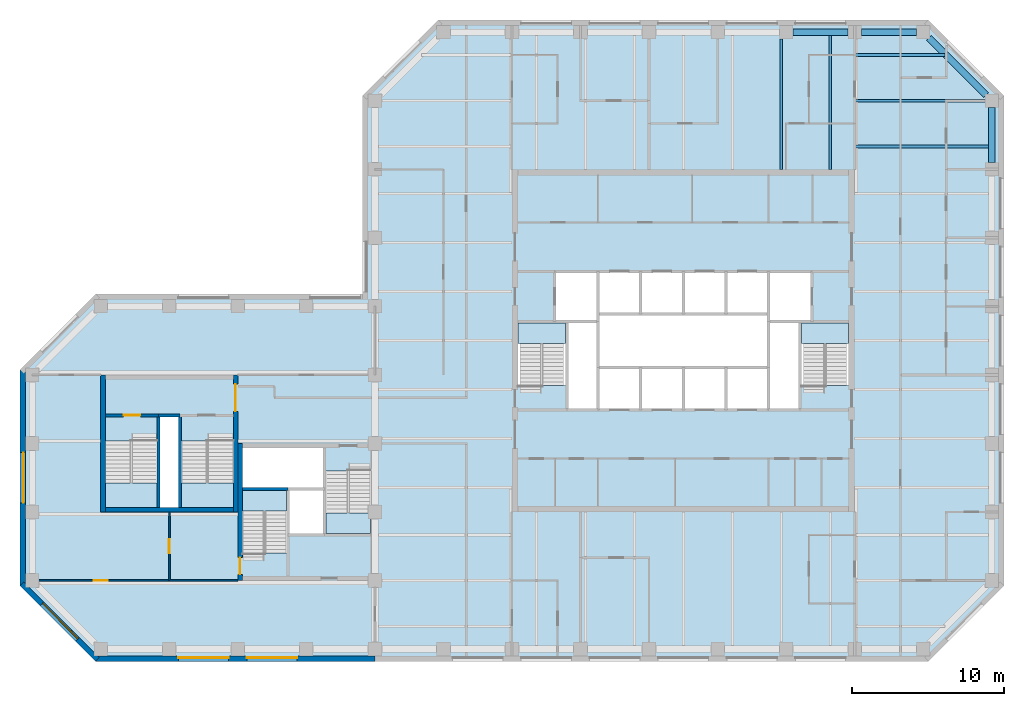
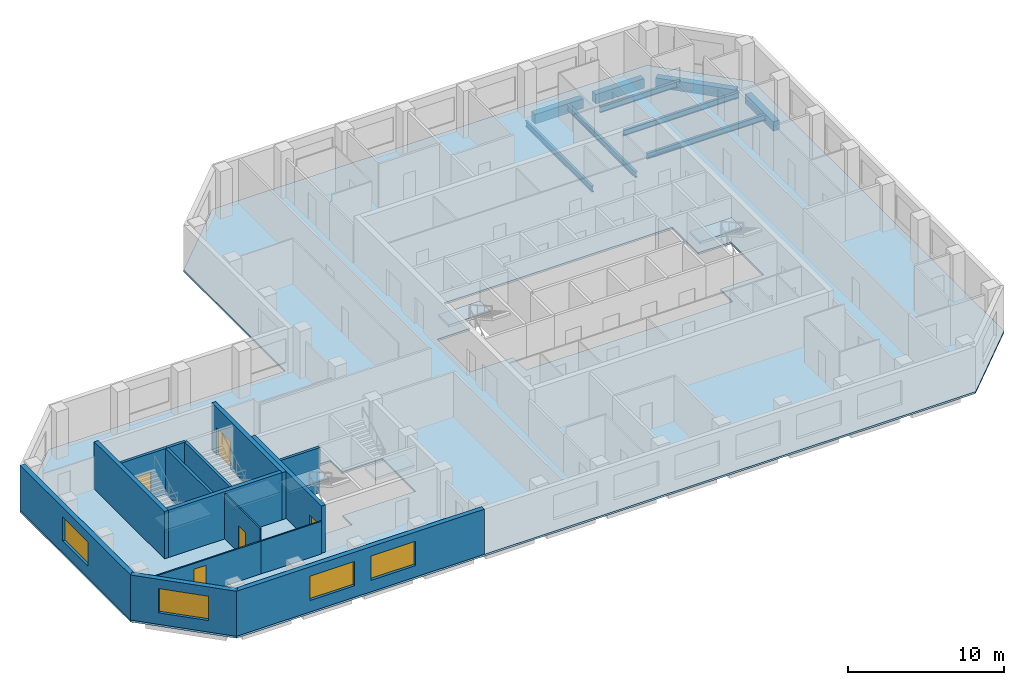
# One storey, part 2 of 9: 15 walls, 9 beams, 7 slabs, 5 doors, 4 windows, 9 openings, 6 elements without a shape of their own.
"""IFC4 building model written with IfcOpenShell, lengths in metres."""

from ifc_helpers import new_model, si_unit, direction, frame, frame_2d, origin, origin_2d, place, context, subcontext, project, spatial, polyline, rectangle, i_section, outline, extrude, material, layer, layer_set, constituent, constituent_set, material_profile, profile_set, type_object, element, fill, aggregate, save


model = new_model("IFC4")

# Units and contexts
model_context = context("Model", 3, precision=1e-05, world=origin(), true_north=direction((0.0, 1.0)))
body_context = subcontext(model_context, "Body", "Model", "MODEL_VIEW")
ifc_project = project(units=[si_unit("LENGTHUNIT", "METRE"), si_unit("AREAUNIT", "SQUARE_METRE"), si_unit("VOLUMEUNIT", "CUBIC_METRE"), si_unit("PLANEANGLEUNIT", "RADIAN"), si_unit("MASSUNIT", "GRAM", prefix="KILO")], contexts=[model_context])

# Site, building, storey
site_placement = place(None, origin())
site = spatial("IfcSite", under=ifc_project, at=site_placement, CompositionType="ELEMENT")
building_placement = place(site_placement, origin())
building = spatial("IfcBuilding", under=site, at=building_placement, Name="Quoin Convention Tower", CompositionType="ELEMENT")
storey_placement = place(building_placement, frame((0.0, 0.0, 223.0)))
storey = spatial("IfcBuildingStorey", under=building, at=storey_placement, Name="L58", CompositionType="ELEMENT", Elevation=223.0)

# Beams
ifc_material_1 = material(Name="Steel Grade 300", Category="steel")
ifc_material_profile_1 = material_profile(ifc_material_1, i_section(OverallWidth=0.18994140625, OverallDepth=0.4541015625, WebThickness=0.008544921875, FlangeThickness=0.0126953125, FilletRadius=0.011474609375, at=origin_2d()), Name="460UB67.1")
ifc_profile_set_1 = profile_set([ifc_material_profile_1], Name="Steel Grade 300")
beam_type_1 = type_object("IfcBeamType", Name="460UB67.1", PredefinedType="BEAM", material=ifc_profile_set_1)
beam_1_placement = place(storey_placement, frame((62.6787109375, 72.0, -0.376953125), z_axis=(0.0, 1.0, 0.0), x_axis=(-1.0, 0.0, 0.0)))
element("IfcBeam", 1, at=beam_1_placement, inside=storey, type_object=beam_type_1, Name="bm-L58-T1N5", PredefinedType="BEAM", context=body_context, shape_type="SweptSolid", body=[
    extrude(i_section(OverallWidth=0.18994140625, OverallDepth=0.4541015625, WebThickness=0.008544921875, FlangeThickness=0.0126953125, FilletRadius=0.011474609375, at=origin_2d()), origin(), (0.0, 0.0, 1.0), 8.550048828125),
])
beam_2_placement = place(storey_placement, frame((65.892822265625, 72.0, -0.376953125), z_axis=(0.0, 1.0, 0.0), x_axis=(-1.0, 0.0, 0.0)))
element("IfcBeam", 2, at=beam_2_placement, inside=storey, type_object=beam_type_1, Name="bm-L58-T1N6", PredefinedType="BEAM", context=body_context, shape_type="SweptSolid", body=[
    extrude(i_section(OverallWidth=0.18994140625, OverallDepth=0.4541015625, WebThickness=0.008544921875, FlangeThickness=0.0126953125, FilletRadius=0.011474609375, at=origin_2d()), origin(), (0.0, 0.0, 1.0), 8.77490234375),
])
beam_3_placement = place(storey_placement, frame((67.5, 79.5, -0.376953125), z_axis=(1.0, 0.0, 0.0), x_axis=(0.0, 1.0, 0.0)))
element("IfcBeam", 3, at=beam_3_placement, inside=storey, type_object=beam_type_1, Name="bm-L58-T1NE0", PredefinedType="BEAM", context=body_context, shape_type="SweptSolid", body=[
    extrude(i_section(OverallWidth=0.18994140625, OverallDepth=0.4541015625, WebThickness=0.008544921875, FlangeThickness=0.0126953125, FilletRadius=0.011474609375, at=origin_2d()), origin(), (0.0, 0.0, 1.0), 5.935791015625),
])
beam_4_placement = place(storey_placement, frame((67.5, 76.5, -0.376953125), z_axis=(1.0, 0.0, 0.0), x_axis=(0.0, 1.0, 0.0)))
element("IfcBeam", 4, at=beam_4_placement, inside=storey, type_object=beam_type_1, Name="bm-L58-T1NE1", PredefinedType="BEAM", context=body_context, shape_type="SweptSolid", body=[
    extrude(i_section(OverallWidth=0.18994140625, OverallDepth=0.4541015625, WebThickness=0.008544921875, FlangeThickness=0.0126953125, FilletRadius=0.011474609375, at=origin_2d()), origin(), (0.0, 0.0, 1.0), 8.550048828125),
])
beam_5_placement = place(storey_placement, frame((67.5, 73.5, -0.376953125), z_axis=(1.0, 0.0, 0.0), x_axis=(0.0, 1.0, 0.0)))
element("IfcBeam", 5, at=beam_5_placement, inside=storey, type_object=beam_type_1, Name="bm-L58-T1NE2", PredefinedType="BEAM", context=body_context, shape_type="SweptSolid", body=[
    extrude(i_section(OverallWidth=0.18994140625, OverallDepth=0.4541015625, WebThickness=0.008544921875, FlangeThickness=0.0126953125, FilletRadius=0.011474609375, at=origin_2d()), origin(), (0.0, 0.0, 1.0), 8.77490234375),
])
ifc_material_2 = material(Name="Concrete C50", Category="concrete")
ifc_material_profile_2 = material_profile(ifc_material_2, rectangle(XDim=0.449951171875, YDim=0.75, at=origin_2d()), Name="RC 450x750")
ifc_profile_set_2 = profile_set([ifc_material_profile_2], Name="Concrete C50")
beam_type_2 = type_object("IfcBeamType", Name="RC 450x750 C50", PredefinedType="SPANDREL", material=ifc_profile_set_2)
beam_6_placement = place(storey_placement, frame((76.5, 72.449951171875, -0.52490234375), z_axis=(0.0, 1.0, 0.0), x_axis=(-1.0, 0.0, 0.0)))
element("IfcBeam", 6, at=beam_6_placement, inside=storey, type_object=beam_type_2, Name="spd-L58-76500_72000-76500_76500", PredefinedType="SPANDREL", context=body_context, shape_type="SweptSolid", body=[
    extrude(rectangle(XDim=0.449951171875, YDim=0.75, at=origin_2d()), origin(), (0.0, 0.0, 1.0), 3.60009765625),
])
beam_7_placement = place(storey_placement, frame((76.135009765625, 76.864990234375, -0.52490234375), z_axis=(-0.707106781187, 0.707106781187, 0.0), x_axis=(-0.707106781187, -0.707106781187, 0.0)))
element("IfcBeam", 7, at=beam_7_placement, inside=storey, type_object=beam_type_2, Name="spd-L58-76500_76500-72000_81000", PredefinedType="SPANDREL", context=body_context, shape_type="SweptSolid", body=[
    extrude(rectangle(XDim=0.449951171875, YDim=0.75, at=origin_2d()), origin(), (0.0, 0.0, 1.0), 5.33154296875),
])
for number, where, z_axis, x_axis, name in (
    (8, (71.550048828125, 81.0, -0.52490234375), (-1.0, 0.0, 0.0), (0.0, -1.0, 0.0), "spd-L58-72000_81000-67500_81000"),
    (9, (67.050048828125, 81.0, -0.52490234375), (-1.0, 0.0, 0.0), (0.0, -1.0, 0.0), "spd-L58-67500_81000-63000_81000"),
):
    element("IfcBeam", number, at=place(storey_placement, frame(where, z_axis=z_axis, x_axis=x_axis)), inside=storey, type_object=beam_type_2, Name=name, PredefinedType="SPANDREL", context=body_context, shape_type="SweptSolid", body=[
        extrude(rectangle(XDim=0.449951171875, YDim=0.75, at=origin_2d()), origin(), (0.0, 0.0, 1.0), 3.60009765625),
    ])

# Slab
ifc_material_3 = material(Name="Concrete C40", Category="concrete")
ifc_layer_1 = layer(ifc_material_3, 0.14990234375)
ifc_layer_set_1 = layer_set([ifc_layer_1], Name="Concrete C40")
slab_type_1 = type_object("IfcSlabType", Name="COMPOSITE SLAB 150 C40", PredefinedType="FLOOR", material=ifc_layer_set_1)
slab_1_placement = place(storey_placement, frame((0.0, 0.0, -0.14990234375)))
element("IfcSlab", 10, at=slab_1_placement, inside=storey, type_object=slab_type_1, Name="slb-L58", PredefinedType="FLOOR", context=body_context, shape_type="SweptSolid", body=[
    extrude(outline(polyline([(17.668701171875, 39.699951171875), (12.699951171875, 44.668701171875), (12.699951171875, 58.831298828125), (17.668701171875, 63.800048828125), (35.199951171875, 63.800048828125), (35.199951171875, 76.831298828125), (40.168701171875, 81.800048828125), (72.331298828125, 81.800048828125), (77.300048828125, 76.831298828125), (77.300048828125, 44.668701171875), (72.331298828125, 39.699951171875), (17.668701171875, 39.699951171875)]), holes=[polyline([(27.300048828125, 51.0), (27.300048828125, 46.800537109375), (30.300048828125, 46.800537109375), (30.300048828125, 48.0), (32.699951171875, 48.0), (35.699951171875, 48.0), (35.699951171875, 52.199462890625), (32.699951171875, 52.199462890625), (32.699951171875, 53.699951171875), (27.300048828125, 53.699951171875), (27.300048828125, 51.0)]), polyline([(18.300048828125, 49.800048828125), (21.800048828125, 49.800048828125), (23.199951171875, 49.800048828125), (26.699951171875, 49.800048828125), (26.699951171875, 54.1494140625), (23.199951171875, 54.1494140625), (23.199951171875, 55.85009765625), (21.800048828125, 55.85009765625), (21.800048828125, 54.1494140625), (18.300048828125, 54.1494140625), (18.300048828125, 49.800048828125)]), polyline([(48.60009765625, 56.199951171875), (50.64990234375, 56.199951171875), (53.449951171875, 56.199951171875), (56.25, 56.199951171875), (59.050048828125, 56.199951171875), (61.85009765625, 56.199951171875), (63.89990234375, 56.199951171875), (63.89990234375, 57.800537109375), (67.10009765625, 57.800537109375), (67.10009765625, 62.0), (64.699951171875, 62.0), (64.699951171875, 65.300048828125), (61.85009765625, 65.300048828125), (59.050048828125, 65.300048828125), (56.25, 65.300048828125), (53.449951171875, 65.300048828125), (50.64990234375, 65.300048828125), (47.800048828125, 65.300048828125), (47.800048828125, 62.0), (45.39990234375, 62.0), (45.39990234375, 57.800537109375), (48.60009765625, 57.800537109375), (48.60009765625, 56.199951171875)])]), origin(), (0.0, 0.0, 1.0), 0.14990234375),
])

# Stair, slab
stair_type_1 = type_object("IfcStairType", Name="Exit stair two-flight 1350", PredefinedType="HALF_TURN_STAIR", material=ifc_material_3)
stair_1_placement = place(storey_placement, origin())
stair_1 = element("IfcStair", 11, at=stair_1_placement, inside=storey, type_object=stair_type_1, Name="SD1 L58", PredefinedType="HALF_TURN_STAIR")
ifc_layer_2 = layer(ifc_material_3, 0.199951171875)
ifc_layer_set_2 = layer_set([ifc_layer_2], Name="Concrete C40")
slab_type_2 = type_object("IfcSlabType", Name="Stair landing 200", PredefinedType="LANDING", material=ifc_layer_set_2)
slab_2_placement = place(storey_placement, frame((0.0, 0.0, 1.792236328125)))
slab_2 = element("IfcSlab", 12, at=slab_2_placement, type_object=slab_type_2, Name="ST1 landing 1", PredefinedType="LANDING", context=body_context, shape_type="SweptSolid", body=[
    extrude(outline(polyline([(45.39990234375, 60.550048828125), (48.5, 60.550048828125), (48.5, 61.89990234375), (45.39990234375, 61.89990234375), (45.39990234375, 60.550048828125)])), origin(), (0.0, 0.0, 1.0), 0.199951171875),
])
aggregate(stair_1, [slab_2])

stair_2_placement = place(storey_placement, origin())
stair_2 = element("IfcStair", 13, at=stair_2_placement, inside=storey, type_object=stair_type_1, Name="SD2 L58", PredefinedType="HALF_TURN_STAIR")
slab_3_placement = place(storey_placement, frame((0.0, 0.0, 1.792236328125)))
slab_3 = element("IfcSlab", 14, at=slab_3_placement, type_object=slab_type_2, Name="ST2 landing 1", PredefinedType="LANDING", context=body_context, shape_type="SweptSolid", body=[
    extrude(outline(polyline([(64.0, 60.550048828125), (67.10009765625, 60.550048828125), (67.10009765625, 61.89990234375), (64.0, 61.89990234375), (64.0, 60.550048828125)])), origin(), (0.0, 0.0, 1.0), 0.199951171875),
])
aggregate(stair_2, [slab_3])

stair_3_placement = place(storey_placement, origin())
stair_3 = element("IfcStair", 15, at=stair_3_placement, inside=storey, type_object=stair_type_1, Name="SD3 L58", PredefinedType="HALF_TURN_STAIR")
slab_4_placement = place(storey_placement, frame((0.0, 0.0, 1.792236328125)))
slab_4 = element("IfcSlab", 16, at=slab_4_placement, type_object=slab_type_2, Name="ST3 landing 1", PredefinedType="LANDING", context=body_context, shape_type="SweptSolid", body=[
    extrude(outline(polyline([(27.300048828125, 49.550048828125), (30.199951171875, 49.550048828125), (30.199951171875, 50.89990234375), (27.300048828125, 50.89990234375), (27.300048828125, 49.550048828125)])), origin(), (0.0, 0.0, 1.0), 0.199951171875),
])
aggregate(stair_3, [slab_4])

stair_4_placement = place(storey_placement, origin())
stair_4 = element("IfcStair", 17, at=stair_4_placement, inside=storey, type_object=stair_type_1, Name="SD4 L58", PredefinedType="HALF_TURN_STAIR")
slab_5_placement = place(storey_placement, frame((0.0, 0.0, 1.792236328125)))
slab_5 = element("IfcSlab", 18, at=slab_5_placement, type_object=slab_type_2, Name="ST4 landing 1", PredefinedType="LANDING", context=body_context, shape_type="SweptSolid", body=[
    extrude(outline(polyline([(35.699951171875, 49.449951171875), (32.800048828125, 49.449951171875), (32.800048828125, 48.10009765625), (35.699951171875, 48.10009765625), (35.699951171875, 49.449951171875)])), origin(), (0.0, 0.0, 1.0), 0.199951171875),
])
aggregate(stair_4, [slab_5])

stair_type_2 = type_object("IfcStairType", Name="Exit stair two-flight 1600", PredefinedType="HALF_TURN_STAIR", material=ifc_material_3)
stair_5_placement = place(storey_placement, origin())
stair_5 = element("IfcStair", 19, at=stair_5_placement, inside=storey, type_object=stair_type_2, Name="SD11 L58", PredefinedType="HALF_TURN_STAIR")
slab_6_placement = place(storey_placement, frame((0.0, 0.0, 1.792236328125)))
slab_6 = element("IfcSlab", 20, at=slab_6_placement, type_object=slab_type_2, Name="ST11 landing 1", PredefinedType="LANDING", context=body_context, shape_type="SweptSolid", body=[
    extrude(outline(polyline([(21.699951171875, 51.39990234375), (18.300048828125, 51.39990234375), (18.300048828125, 49.800048828125), (21.699951171875, 49.800048828125), (21.699951171875, 51.39990234375)])), origin(), (0.0, 0.0, 1.0), 0.199951171875),
])
aggregate(stair_5, [slab_6])

stair_6_placement = place(storey_placement, origin())
stair_6 = element("IfcStair", 21, at=stair_6_placement, inside=storey, type_object=stair_type_2, Name="SD12 L58", PredefinedType="HALF_TURN_STAIR")
slab_7_placement = place(storey_placement, frame((0.0, 0.0, 1.792236328125)))
slab_7 = element("IfcSlab", 22, at=slab_7_placement, type_object=slab_type_2, Name="ST12 landing 1", PredefinedType="LANDING", context=body_context, shape_type="SweptSolid", body=[
    extrude(outline(polyline([(26.699951171875, 51.39990234375), (23.300048828125, 51.39990234375), (23.300048828125, 49.800048828125), (26.699951171875, 49.800048828125), (26.699951171875, 51.39990234375)])), origin(), (0.0, 0.0, 1.0), 0.199951171875),
])
aggregate(stair_6, [slab_7])

# Wall, opening, window
ifc_material_4 = material(Name="Brick masonry", Category="masonry")
ifc_layer_3 = layer(ifc_material_4, 0.35009765625)
ifc_layer_set_3 = layer_set([ifc_layer_3], Name="Brick masonry")
wall_type_1 = type_object("IfcWallType", Name="Brick facade wall", PredefinedType="STANDARD", material=ifc_layer_set_3)
wall_1_placement = place(storey_placement, frame((12.875, 58.831298828125, 0.0), z_axis=(0.0, 0.0, 1.0), x_axis=(0.0, -1.0, 0.0)))
wall_1 = element("IfcWall", 23, at=wall_1_placement, inside=storey, type_object=wall_type_1, Name="fw-L58-13500_58500", PredefinedType="STANDARD", context=body_context, shape_type="SweptSolid", body=[
    extrude(rectangle(XDim=14.16259765625, YDim=0.35009765625, at=frame_2d((7.081298828125, 0.0))), origin(), (0.0, 0.0, 1.0), 3.52490234375),
])
opening_1_placement = place(wall_1_placement, frame((5.431396484375, 0.0, 0.89990234375)))
opening_1 = element("IfcOpeningElement", 24, at=opening_1_placement, cuts=wall_1, Name="Opening W-02", PredefinedType="OPENING", context=body_context, shape_type="SweptSolid", body=[
    extrude(rectangle(XDim=3.300048828125, YDim=1.89990234375, at=frame_2d((1.64990234375, 0.949951171875))), frame((0.0, 0.18505859375, 0.0), z_axis=(0.0, -1.0, 0.0), x_axis=(1.0, 0.0, 0.0)), (0.0, 0.0, 1.0), 0.3701171875),
])
ifc_material_5 = material(Name="Aluminium", Category="aluminium")
ifc_constituent_1 = constituent(ifc_material_5, Name="Frame")
ifc_material_6 = material(Name="Insulated glass", Category="glass")
ifc_constituent_2 = constituent(ifc_material_6, Name="Glazing")
ifc_constituent_set = constituent_set(constituents=[ifc_constituent_1, ifc_constituent_2], Name="Aluminium")
window_type = type_object("IfcWindowType", Name="Office window", PartitioningType="DOUBLE_PANEL_VERTICAL", PredefinedType="WINDOW", material=ifc_constituent_set)
window_1_placement = place(opening_1_placement, origin())
window_1 = element("IfcWindow", 25, at=window_1_placement, inside=storey, type_object=window_type, Name="win-L58-12875_51750", OverallHeight=1.89990234375, OverallWidth=3.300048828125, PartitioningType="SINGLE_PANEL", PredefinedType="WINDOW", context=body_context, shape_type="SweptSolid", body=[
    extrude(rectangle(XDim=3.300048828125, YDim=1.89990234375, at=frame_2d((1.64990234375, 0.949951171875))), frame((0.0, 0.0849609375, 0.0), z_axis=(0.0, -1.0, 0.0), x_axis=(1.0, 0.0, 0.0)), (0.0, 0.0, 1.0), 0.06005859375),
])
fill(opening_1, window_1)

wall_2_placement = place(storey_placement, frame((12.82373046875, 44.79248046875, 0.0), z_axis=(0.0, 0.0, 1.0), x_axis=(0.707106781187, -0.707106781187, 0.0)))
wall_2 = element("IfcWall", 26, at=wall_2_placement, inside=storey, type_object=wall_type_1, Name="fw-L58-13500_45000", PredefinedType="STANDARD", context=body_context, shape_type="SweptSolid", body=[
    extrude(rectangle(XDim=7.02685546875, YDim=0.35009765625, at=frame_2d((3.513427734375, 0.0))), origin(), (0.0, 0.0, 1.0), 3.52490234375),
])
opening_2_placement = place(wall_2_placement, frame((1.86328125, 0.0, 0.89990234375)))
opening_2 = element("IfcOpeningElement", 27, at=opening_2_placement, cuts=wall_2, Name="Opening W-02", PredefinedType="OPENING", context=body_context, shape_type="SweptSolid", body=[
    extrude(rectangle(XDim=3.300048828125, YDim=1.89990234375, at=frame_2d((1.64990234375, 0.949951171875))), frame((0.0, 0.18505859375, 0.0), z_axis=(0.0, -1.0, 0.0), x_axis=(1.0, 0.0, 0.0)), (0.0, 0.0, 1.0), 0.3701171875),
])
window_2_placement = place(opening_2_placement, origin())
window_2 = element("IfcWindow", 28, at=window_2_placement, inside=storey, type_object=window_type, Name="win-L58-15308_42308", OverallHeight=1.89990234375, OverallWidth=3.300048828125, PartitioningType="SINGLE_PANEL", PredefinedType="WINDOW", context=body_context, shape_type="SweptSolid", body=[
    extrude(rectangle(XDim=3.300048828125, YDim=1.89990234375, at=frame_2d((1.64990234375, 0.949951171875))), frame((0.0, 0.0849609375, 0.0), z_axis=(0.0, -1.0, 0.0), x_axis=(1.0, 0.0, 0.0)), (0.0, 0.0, 1.0), 0.06005859375),
])
fill(opening_2, window_2)

# Wall, openings, windows
wall_3_placement = place(storey_placement, frame((17.668701171875, 39.875, 0.0), z_axis=(0.0, 0.0, 1.0), x_axis=(1.0, 0.0, 0.0)))
wall_3 = element("IfcWall", 29, at=wall_3_placement, inside=storey, type_object=wall_type_1, Name="fw-L58-18000_40500", PredefinedType="STANDARD", context=body_context, shape_type="SweptSolid", body=[
    extrude(rectangle(XDim=18.331298828125, YDim=0.35009765625, at=frame_2d((9.16552734375, 0.0))), origin(), (0.0, 0.0, 1.0), 3.52490234375),
])
opening_3_placement = place(wall_3_placement, frame((5.431396484375, 0.0, 0.89990234375)))
opening_3 = element("IfcOpeningElement", 30, at=opening_3_placement, cuts=wall_3, Name="Opening W-02", PredefinedType="OPENING", context=body_context, shape_type="SweptSolid", body=[
    extrude(rectangle(XDim=3.300048828125, YDim=1.89990234375, at=frame_2d((1.64990234375, 0.949951171875))), frame((0.0, 0.18505859375, 0.0), z_axis=(0.0, -1.0, 0.0), x_axis=(1.0, 0.0, 0.0)), (0.0, 0.0, 1.0), 0.3701171875),
])
opening_4_placement = place(wall_3_placement, frame((9.931396484375, 0.0, 0.89990234375)))
opening_4 = element("IfcOpeningElement", 31, at=opening_4_placement, cuts=wall_3, Name="Opening W-02", PredefinedType="OPENING", context=body_context, shape_type="SweptSolid", body=[
    extrude(rectangle(XDim=3.300048828125, YDim=1.89990234375, at=frame_2d((1.64990234375, 0.949951171875))), frame((0.0, 0.18505859375, 0.0), z_axis=(0.0, -1.0, 0.0), x_axis=(1.0, 0.0, 0.0)), (0.0, 0.0, 1.0), 0.3701171875),
])
window_3_placement = place(opening_3_placement, origin())
window_3 = element("IfcWindow", 32, at=window_3_placement, inside=storey, type_object=window_type, Name="win-L58-24750_39875", OverallHeight=1.89990234375, OverallWidth=3.300048828125, PartitioningType="SINGLE_PANEL", PredefinedType="WINDOW", context=body_context, shape_type="SweptSolid", body=[
    extrude(rectangle(XDim=3.300048828125, YDim=1.89990234375, at=frame_2d((1.64990234375, 0.949951171875))), frame((0.0, 0.0849609375, 0.0), z_axis=(0.0, -1.0, 0.0), x_axis=(1.0, 0.0, 0.0)), (0.0, 0.0, 1.0), 0.06005859375),
])
fill(opening_3, window_3)
window_4_placement = place(opening_4_placement, origin())
window_4 = element("IfcWindow", 33, at=window_4_placement, inside=storey, type_object=window_type, Name="win-L58-29250_39875", OverallHeight=1.89990234375, OverallWidth=3.300048828125, PartitioningType="SINGLE_PANEL", PredefinedType="WINDOW", context=body_context, shape_type="SweptSolid", body=[
    extrude(rectangle(XDim=3.300048828125, YDim=1.89990234375, at=frame_2d((1.64990234375, 0.949951171875))), frame((0.0, 0.0849609375, 0.0), z_axis=(0.0, -1.0, 0.0), x_axis=(1.0, 0.0, 0.0)), (0.0, 0.0, 1.0), 0.06005859375),
])
fill(opening_4, window_4)

# Walls
ifc_layer_4 = layer(ifc_material_2, 0.199951171875)
ifc_layer_set_4 = layer_set([ifc_layer_4], Name="Concrete C50")
wall_type_2 = type_object("IfcWallType", Name="Core shaft wall", PredefinedType="SOLIDWALL", material=ifc_layer_set_4)
wall_4_placement = place(storey_placement, frame((27.300048828125, 51.0, 0.0), z_axis=(0.0, 0.0, 1.0), x_axis=(1.0, 0.0, 0.0)))
element("IfcWall", 34, at=wall_4_placement, inside=storey, type_object=wall_type_2, Name="cr-P2-L58-h6000_300", PredefinedType="SOLIDWALL", context=body_context, shape_type="SweptSolid", body=[
    extrude(rectangle(XDim=3.0, YDim=0.199951171875, at=frame_2d((1.5, 0.0))), origin(), (0.0, 0.0, 1.0), 3.550048828125),
])
wall_5_placement = place(storey_placement, frame((21.800048828125, 55.85009765625, 0.0), z_axis=(0.0, 0.0, 1.0), x_axis=(1.0, 0.0, 0.0)))
element("IfcWall", 35, at=wall_5_placement, inside=storey, type_object=wall_type_2, Name="cr-P6-L58-h6350_3800", PredefinedType="SOLIDWALL", context=body_context, shape_type="SweptSolid", body=[
    extrude(rectangle(XDim=1.39990234375, YDim=0.199951171875, at=frame_2d((0.699951171875, 0.0))), origin(), (0.0, 0.0, 1.0), 3.550048828125),
])

# Wall, opening, door
wall_6_placement = place(storey_placement, frame((18.300048828125, 55.85009765625, 0.0), z_axis=(0.0, 0.0, 1.0), x_axis=(1.0, 0.0, 0.0)))
wall_6 = element("IfcWall", 36, at=wall_6_placement, inside=storey, type_object=wall_type_2, Name="cr-P6-L58-h6350_300", PredefinedType="SOLIDWALL", context=body_context, shape_type="SweptSolid", body=[
    extrude(rectangle(XDim=3.5, YDim=0.199951171875, at=frame_2d((1.75, 0.0))), origin(), (0.0, 0.0, 1.0), 3.550048828125),
])
opening_5_placement = place(wall_6_placement, frame((1.199951171875, 0.0, 0.0)))
opening_5 = element("IfcOpeningElement", 37, at=opening_5_placement, cuts=wall_6, Name="Opening SD11", PredefinedType="OPENING", context=body_context, shape_type="SweptSolid", body=[
    extrude(rectangle(XDim=1.10009765625, YDim=2.10009765625, at=frame_2d((0.550048828125, 1.050048828125))), frame((0.0, 0.10986328125, 0.0), z_axis=(0.0, -1.0, 0.0), x_axis=(1.0, 0.0, 0.0)), (0.0, 0.0, 1.0), 0.219970703125),
])
ifc_material_7 = material(Name="Steel door leaf", Category="steel")
door_type_1 = type_object("IfcDoorType", Name="Stair door 1100 x 2100", OperationType="SINGLE_SWING_RIGHT", PredefinedType="DOOR", material=ifc_material_7)
door_1_placement = place(opening_5_placement, origin())
door_1 = element("IfcDoor", 38, at=door_1_placement, inside=storey, type_object=door_type_1, Name="cd-P6-L58-SA-R2-SD11", OperationType="SINGLE_SWING_RIGHT", OverallHeight=2.10009765625, OverallWidth=1.10009765625, PredefinedType="DOOR", context=body_context, shape_type="SweptSolid", body=[
    extrude(rectangle(XDim=1.10009765625, YDim=2.10009765625, at=frame_2d((0.550048828125, 1.050048828125))), frame((0.0, 0.02490234375, 0.0), z_axis=(0.0, -1.0, 0.0), x_axis=(1.0, 0.0, 0.0)), (0.0, 0.0, 1.0), 0.050048828125),
])
fill(opening_5, door_1)

# Walls
for number, where, z_axis, x_axis, name in (
    (39, (21.800048828125, 49.800048828125, 0.0), (0.0, 0.0, 1.0), (0.0, 1.0, 0.0), "cr-P6-L58-v3800_300"),
    (40, (23.199951171875, 49.800048828125, 0.0), (0.0, 0.0, 1.0), (0.0, 1.0, 0.0), "cr-P6-L58-v5200_300"),
):
    element("IfcWall", number, at=place(storey_placement, frame(where, z_axis=z_axis, x_axis=x_axis)), inside=storey, type_object=wall_type_2, Name=name, PredefinedType="SOLIDWALL", context=body_context, shape_type="SweptSolid", body=[
        extrude(rectangle(XDim=6.050048828125, YDim=0.199951171875, at=frame_2d((3.02490234375, 0.0))), origin(), (0.0, 0.0, 1.0), 3.550048828125),
    ])

# Wall, opening, door
ifc_layer_5 = layer(ifc_material_2, 0.300048828125)
ifc_layer_set_5 = layer_set([ifc_layer_5], Name="Concrete C50")
wall_type_3 = type_object("IfcWallType", Name="RC CORE WALL 300 C50", PredefinedType="SHEAR", material=ifc_layer_set_5)
wall_7_placement = place(storey_placement, frame((27.14990234375, 45.0, 0.0), z_axis=(0.0, 0.0, 1.0), x_axis=(0.0, 1.0, 0.0)))
wall_7 = element("IfcWall", 41, at=wall_7_placement, inside=storey, type_object=wall_type_3, Name="cwl-P2-L58-W", PredefinedType="SHEAR", context=body_context, shape_type="SweptSolid", body=[
    extrude(rectangle(XDim=9.0, YDim=0.300048828125, at=frame_2d((4.5, 0.0))), origin(), (0.0, 0.0, 1.0), 3.699951171875),
])
opening_6_placement = place(wall_7_placement, frame((0.39990234375, 0.0, 0.0)))
opening_6 = element("IfcOpeningElement", 42, at=opening_6_placement, cuts=wall_7, Name="Opening SD3", PredefinedType="OPENING", context=body_context, shape_type="SweptSolid", body=[
    extrude(rectangle(XDim=1.10009765625, YDim=2.10009765625, at=frame_2d((0.550048828125, 1.050048828125))), frame((0.0, 0.159912109375, 0.0), z_axis=(0.0, -1.0, 0.0), x_axis=(1.0, 0.0, 0.0)), (0.0, 0.0, 1.0), 0.320068359375),
])
door_2_placement = place(opening_6_placement, frame((1.10009765625, 0.0, 0.0), z_axis=(0.0, 0.0, 1.0), x_axis=(-1.0, 0.0, 0.0)))
door_2 = element("IfcDoor", 43, at=door_2_placement, inside=storey, type_object=door_type_1, Name="cd-P2-L58-SA-W", OperationType="SINGLE_SWING_RIGHT", OverallHeight=2.10009765625, OverallWidth=1.10009765625, PredefinedType="DOOR", context=body_context, shape_type="SweptSolid", body=[
    extrude(rectangle(XDim=1.10009765625, YDim=2.10009765625, at=frame_2d((0.550048828125, 1.050048828125))), frame((0.0, 0.02490234375, 0.0), z_axis=(0.0, -1.0, 0.0), x_axis=(1.0, 0.0, 0.0)), (0.0, 0.0, 1.0), 0.050048828125),
])
fill(opening_6, door_2)

# Walls
wall_8_placement = place(storey_placement, frame((18.300048828125, 49.64990234375, 0.0), z_axis=(0.0, 0.0, 1.0), x_axis=(1.0, 0.0, 0.0)))
element("IfcWall", 44, at=wall_8_placement, inside=storey, type_object=wall_type_3, Name="cwl-P6-L58-S", PredefinedType="SHEAR", context=body_context, shape_type="SweptSolid", body=[
    extrude(rectangle(XDim=8.39990234375, YDim=0.300048828125, at=frame_2d((4.199951171875, 0.0))), origin(), (0.0, 0.0, 1.0), 3.699951171875),
])
wall_9_placement = place(storey_placement, frame((18.14990234375, 49.5, 0.0), z_axis=(0.0, 0.0, 1.0), x_axis=(0.0, 1.0, 0.0)))
element("IfcWall", 45, at=wall_9_placement, inside=storey, type_object=wall_type_3, Name="cwl-P6-L58-W", PredefinedType="SHEAR", context=body_context, shape_type="SweptSolid", body=[
    extrude(rectangle(XDim=9.0, YDim=0.300048828125, at=frame_2d((4.5, 0.0))), origin(), (0.0, 0.0, 1.0), 3.699951171875),
])

# Wall, opening, door
wall_10_placement = place(storey_placement, frame((26.85009765625, 49.5, 0.0), z_axis=(0.0, 0.0, 1.0), x_axis=(0.0, 1.0, 0.0)))
wall_10 = element("IfcWall", 46, at=wall_10_placement, inside=storey, type_object=wall_type_3, Name="cwl-P6-L58-E", PredefinedType="SHEAR", context=body_context, shape_type="SweptSolid", body=[
    extrude(rectangle(XDim=9.0, YDim=0.300048828125, at=frame_2d((4.5, 0.0))), origin(), (0.0, 0.0, 1.0), 3.699951171875),
])
opening_7_placement = place(wall_10_placement, frame((6.60009765625, 0.0, 0.0)))
opening_7 = element("IfcOpeningElement", 47, at=opening_7_placement, cuts=wall_10, Name="Opening DCV2-44", PredefinedType="OPENING", context=body_context, shape_type="SweptSolid", body=[
    extrude(rectangle(XDim=1.800048828125, YDim=2.10009765625, at=frame_2d((0.89990234375, 1.050048828125))), frame((0.0, 0.159912109375, 0.0), z_axis=(0.0, -1.0, 0.0), x_axis=(1.0, 0.0, 0.0)), (0.0, 0.0, 1.0), 0.320068359375),
])
door_type_2 = type_object("IfcDoorType", Name="Goods lobby door 1800 x 2100", OperationType="SINGLE_SWING_LEFT", PredefinedType="DOOR", material=ifc_material_7)
door_3_placement = place(opening_7_placement, origin())
door_3 = element("IfcDoor", 48, at=door_3_placement, inside=storey, type_object=door_type_2, Name="cd-P6-L58-R2-E", OperationType="SINGLE_SWING_LEFT", OverallHeight=2.10009765625, OverallWidth=1.800048828125, PredefinedType="DOOR", context=body_context, shape_type="SweptSolid", body=[
    extrude(rectangle(XDim=1.800048828125, YDim=2.10009765625, at=frame_2d((0.89990234375, 1.050048828125))), frame((0.0, 0.02490234375, 0.0), z_axis=(0.0, -1.0, 0.0), x_axis=(1.0, 0.0, 0.0)), (0.0, 0.0, 1.0), 0.050048828125),
])
fill(opening_7, door_3)

ifc_material_8 = material(Name="Plasterboard")
ifc_layer_6 = layer(ifc_material_8, 0.012451171875, Name="Finish")
ifc_material_9 = material(Name="Steel stud framing", Category="steel")
ifc_layer_7 = layer(ifc_material_9, 0.074951171875, Name="Structure")
ifc_layer_8 = layer(ifc_material_8, 0.012451171875, Name="Finish")
ifc_layer_set_6 = layer_set([ifc_layer_6, ifc_layer_7, ifc_layer_8], Name="Steel stud framing")
wall_type_4 = type_object("IfcWallType", Name="Stud partition 100", PredefinedType="PARTITIONING", material=ifc_layer_set_6)
wall_11_placement = place(storey_placement, frame((22.5, 49.5, 0.0), z_axis=(0.0, 0.0, 1.0), x_axis=(0.0, -1.0, 0.0)))
wall_11 = element("IfcWall", 49, at=wall_11_placement, inside=storey, type_object=wall_type_4, Name="pw-L58-w07", PredefinedType="PARTITIONING", context=body_context, shape_type="SweptSolid", body=[
    extrude(rectangle(XDim=4.5, YDim=0.10009765625, at=frame_2d((2.25, 0.0))), origin(), (0.0, 0.0, 1.0), 3.550048828125),
])
opening_8_placement = place(wall_11_placement, frame((1.800048828125, 0.0, 0.0)))
opening_8 = element("IfcOpeningElement", 50, at=opening_8_placement, cuts=wall_11, Name="Opening DOH10-28", PredefinedType="OPENING", context=body_context, shape_type="SweptSolid", body=[
    extrude(rectangle(XDim=0.89990234375, YDim=2.10009765625, at=frame_2d((0.449951171875, 1.050048828125))), frame((0.0, 0.06005859375, 0.0), z_axis=(0.0, -1.0, 0.0), x_axis=(1.0, 0.0, 0.0)), (0.0, 0.0, 1.0), 0.1201171875),
])
door_type_3 = type_object("IfcDoorType", Name="Office door 900 x 2100", OperationType="SINGLE_SWING_RIGHT", PredefinedType="DOOR", material=ifc_material_7)
door_4_placement = place(opening_8_placement, frame((0.89990234375, 0.0, 0.0), z_axis=(0.0, 0.0, 1.0), x_axis=(-1.0, 0.0, 0.0)))
door_4 = element("IfcDoor", 51, at=door_4_placement, inside=storey, type_object=door_type_3, Name="dr-L58-w06", OperationType="SINGLE_SWING_LEFT", OverallHeight=2.10009765625, OverallWidth=0.89990234375, PredefinedType="DOOR", context=body_context, shape_type="SweptSolid", body=[
    extrude(rectangle(XDim=0.89990234375, YDim=2.10009765625, at=frame_2d((0.449951171875, 1.050048828125))), frame((0.0, 0.02490234375, 0.0), z_axis=(0.0, -1.0, 0.0), x_axis=(1.0, 0.0, 0.0)), (0.0, 0.0, 1.0), 0.050048828125),
])
fill(opening_8, door_4)

ifc_layer_9 = layer(ifc_material_8, 0.012451171875, Name="Finish")
ifc_layer_10 = layer(ifc_material_9, 0.074951171875, Name="Structure")
ifc_layer_11 = layer(ifc_material_8, 0.012451171875, Name="Finish")
ifc_layer_set_7 = layer_set([ifc_layer_9, ifc_layer_10, ifc_layer_11], Name="Steel stud framing")
wall_type_5 = type_object("IfcWallType", Name="Stud partition 100 under beam 1000", PredefinedType="PARTITIONING", material=ifc_layer_set_7)
wall_12_placement = place(storey_placement, frame((22.5, 45.0, 0.0), z_axis=(0.0, 0.0, 1.0), x_axis=(-1.0, 0.0, 0.0)))
wall_12 = element("IfcWall", 52, at=wall_12_placement, inside=storey, type_object=wall_type_5, Name="pw-L58-w06", PredefinedType="PARTITIONING", context=body_context, shape_type="SweptSolid", body=[
    extrude(rectangle(XDim=9.0, YDim=0.10009765625, at=frame_2d((4.5, 0.0))), origin(), (0.0, 0.0, 1.0), 2.550048828125),
])
opening_9_placement = place(wall_12_placement, frame((4.050048828125, 0.0, 0.0)))
opening_9 = element("IfcOpeningElement", 53, at=opening_9_placement, cuts=wall_12, Name="Opening DOH10-27", PredefinedType="OPENING", context=body_context, shape_type="SweptSolid", body=[
    extrude(rectangle(XDim=0.89990234375, YDim=2.10009765625, at=frame_2d((0.449951171875, 1.050048828125))), frame((0.0, 0.06005859375, 0.0), z_axis=(0.0, -1.0, 0.0), x_axis=(1.0, 0.0, 0.0)), (0.0, 0.0, 1.0), 0.1201171875),
])
door_5_placement = place(opening_9_placement, origin())
door_5 = element("IfcDoor", 54, at=door_5_placement, inside=storey, type_object=door_type_3, Name="dr-L58-w05", OperationType="SINGLE_SWING_LEFT", OverallHeight=2.10009765625, OverallWidth=0.89990234375, PredefinedType="DOOR", context=body_context, shape_type="SweptSolid", body=[
    extrude(rectangle(XDim=0.89990234375, YDim=2.10009765625, at=frame_2d((0.449951171875, 1.050048828125))), frame((0.0, 0.02490234375, 0.0), z_axis=(0.0, -1.0, 0.0), x_axis=(1.0, 0.0, 0.0)), (0.0, 0.0, 1.0), 0.050048828125),
])
fill(opening_9, door_5)

# Wall
wall_13_placement = place(storey_placement, frame((22.5, 45.0, 0.0), z_axis=(0.0, 0.0, 1.0), x_axis=(1.0, 0.0, 0.0)))
element("IfcWall", 55, at=wall_13_placement, inside=storey, type_object=wall_type_5, Name="pw-L58-w08", PredefinedType="PARTITIONING", context=body_context, shape_type="SweptSolid", body=[
    extrude(rectangle(XDim=4.5, YDim=0.10009765625, at=frame_2d((2.25, 0.0))), origin(), (0.0, 0.0, 1.0), 2.550048828125),
])

save(model, "model.ifc")
